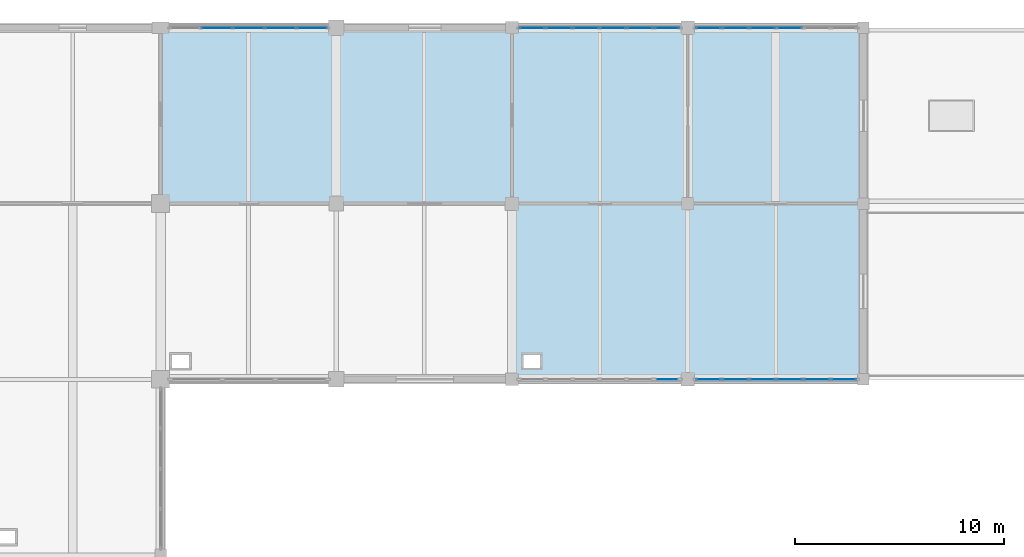
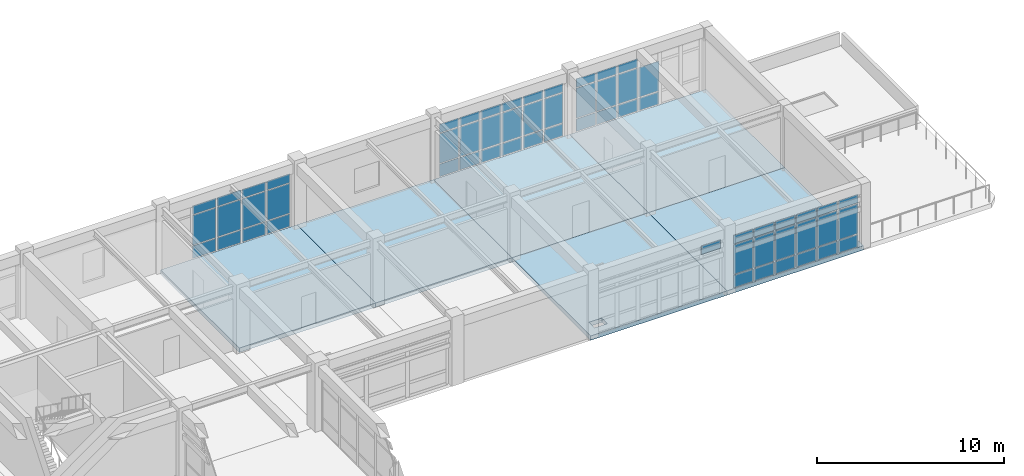
# One storey, part 57 of 78: 60 plates, 6 slabs, 5 elements without a shape of their own.
"""IFC4 building model written with IfcOpenShell, lengths in metres."""

from ifc_helpers import new_model, si_unit, direction, frame, origin, origin_2d, place, context, subcontext, project, spatial, polyline, rectangle, outline, extrude, material, layer, layer_set, type_object, element, aggregate, save


model = new_model("IFC4")

# Units and contexts
model_context = context("Model", 3, precision=1e-05, world=origin(), true_north=direction((0.0, 1.0)))
body_context = subcontext(model_context, "Body", "Model", "MODEL_VIEW")
ifc_project = project(units=[si_unit("LENGTHUNIT", "METRE"), si_unit("AREAUNIT", "SQUARE_METRE"), si_unit("VOLUMEUNIT", "CUBIC_METRE"), si_unit("PLANEANGLEUNIT", "RADIAN"), si_unit("MASSUNIT", "GRAM", prefix="KILO")], contexts=[model_context])

# Site, building, storey
site_placement = place(None, origin())
site = spatial("IfcSite", under=ifc_project, at=site_placement, CompositionType="ELEMENT")
building_placement = place(site_placement, origin())
building = spatial("IfcBuilding", under=site, at=building_placement, Name="Porcellanite Civic Hall", CompositionType="ELEMENT")
storey_placement = place(building_placement, frame((0.0, 0.0, 10.260009765625)))
storey = spatial("IfcBuildingStorey", under=building, at=storey_placement, Name="L02", CompositionType="ELEMENT", Elevation=10.260009765625)

# Curtain wall, plate
ifc_material_1 = material(Name="Anodised aluminium and solar laminated glass", Category="aluminium")
ifc_layer_1 = layer(ifc_material_1, 0.179931640625)
ifc_layer_set_1 = layer_set([ifc_layer_1], Name="Anodised aluminium and solar laminated glass")
curtain_wall_type_1 = type_object("IfcCurtainWallType", Name="CW-SYS02", PredefinedType="NOTDEFINED", material=ifc_layer_set_1)
curtain_wall_1_placement = place(storey_placement, origin())
curtain_wall_1 = element("IfcCurtainWall", 1, at=curtain_wall_1_placement, inside=storey, type_object=curtain_wall_type_1, Name="Curtain wall CW-176", PredefinedType="NOTDEFINED")
ifc_material_2 = material(Name="Cyclone laminated solar-control low-E glass", Category="glass")
ifc_layer_2 = layer(ifc_material_2, 0.02587890625)
ifc_layer_set_2 = layer_set([ifc_layer_2], Name="Cyclone laminated solar-control low-E glass")
plate_type_1 = type_object("IfcPlateType", Name="CWP-02", PredefinedType="CURTAIN_PANEL", material=ifc_layer_set_2)
plate_1_placement = place(storey_placement, frame((150.20751953125, 100.800048828125, 2.92236328125), z_axis=(0.0, 0.0, 1.0), x_axis=(-1.0, 0.0, 0.0)))
plate_1 = element("IfcPlate", 2, at=plate_1_placement, type_object=plate_type_1, Name="CW-176 panel 1.3", PredefinedType="CURTAIN_PANEL", context=body_context, shape_type="SweptSolid", body=[
    extrude(rectangle(XDim=1.18310546875, YDim=0.02587890625, at=origin_2d()), origin(), (0.0, 0.0, 1.0), 0.552490234375),
])
aggregate(curtain_wall_1, [plate_1])

# Curtain wall, plates
curtain_wall_2_placement = place(storey_placement, origin())
curtain_wall_2 = element("IfcCurtainWall", 3, at=curtain_wall_2_placement, inside=storey, type_object=curtain_wall_type_1, Name="Curtain wall CW-177", PredefinedType="NOTDEFINED")
plate_2_placement = place(storey_placement, frame((143.767578125, 117.60009765625, 0.06494140625), z_axis=(0.0, 0.0, 1.0), x_axis=(1.0, 0.0, 0.0)))
plate_2 = element("IfcPlate", 4, at=plate_2_placement, type_object=plate_type_1, Name="CW-177 panel 1.1", PredefinedType="CURTAIN_PANEL", context=body_context, shape_type="SweptSolid", body=[
    extrude(rectangle(XDim=1.18310546875, YDim=0.02587890625, at=origin_2d()), origin(), (0.0, 0.0, 1.0), 0.802490234375),
])
plate_3_placement = place(storey_placement, frame((143.767578125, 117.60009765625, 0.9326171875), z_axis=(0.0, 0.0, 1.0), x_axis=(1.0, 0.0, 0.0)))
plate_3 = element("IfcPlate", 5, at=plate_3_placement, type_object=plate_type_1, Name="CW-177 panel 1.2", PredefinedType="CURTAIN_PANEL", context=body_context, shape_type="SweptSolid", body=[
    extrude(rectangle(XDim=1.18310546875, YDim=0.02587890625, at=origin_2d()), origin(), (0.0, 0.0, 1.0), 1.925048828125),
])
plate_4_placement = place(storey_placement, frame((143.767578125, 117.60009765625, 2.92236328125), z_axis=(0.0, 0.0, 1.0), x_axis=(1.0, 0.0, 0.0)))
plate_4 = element("IfcPlate", 6, at=plate_4_placement, type_object=plate_type_1, Name="CW-177 panel 1.3", PredefinedType="CURTAIN_PANEL", context=body_context, shape_type="SweptSolid", body=[
    extrude(rectangle(XDim=1.18310546875, YDim=0.02587890625, at=origin_2d()), origin(), (0.0, 0.0, 1.0), 0.552490234375),
])
plate_5_placement = place(storey_placement, frame((145.044189453125, 117.60009765625, 0.06494140625), z_axis=(0.0, 0.0, 1.0), x_axis=(1.0, 0.0, 0.0)))
plate_5 = element("IfcPlate", 7, at=plate_5_placement, type_object=plate_type_1, Name="CW-177 panel 2.1", PredefinedType="CURTAIN_PANEL", context=body_context, shape_type="SweptSolid", body=[
    extrude(rectangle(XDim=1.220458984375, YDim=0.02587890625, at=origin_2d()), origin(), (0.0, 0.0, 1.0), 0.802490234375),
])
plate_6_placement = place(storey_placement, frame((145.044189453125, 117.60009765625, 0.9326171875), z_axis=(0.0, 0.0, 1.0), x_axis=(1.0, 0.0, 0.0)))
plate_6 = element("IfcPlate", 8, at=plate_6_placement, type_object=plate_type_1, Name="CW-177 panel 2.2", PredefinedType="CURTAIN_PANEL", context=body_context, shape_type="SweptSolid", body=[
    extrude(rectangle(XDim=1.220458984375, YDim=0.02587890625, at=origin_2d()), origin(), (0.0, 0.0, 1.0), 1.925048828125),
])
plate_7_placement = place(storey_placement, frame((145.044189453125, 117.60009765625, 2.92236328125), z_axis=(0.0, 0.0, 1.0), x_axis=(1.0, 0.0, 0.0)))
plate_7 = element("IfcPlate", 9, at=plate_7_placement, type_object=plate_type_1, Name="CW-177 panel 2.3", PredefinedType="CURTAIN_PANEL", context=body_context, shape_type="SweptSolid", body=[
    extrude(rectangle(XDim=1.220458984375, YDim=0.02587890625, at=origin_2d()), origin(), (0.0, 0.0, 1.0), 0.552490234375),
])
plate_8_placement = place(storey_placement, frame((146.33984375, 117.60009765625, 0.06494140625), z_axis=(0.0, 0.0, 1.0), x_axis=(1.0, 0.0, 0.0)))
plate_8 = element("IfcPlate", 10, at=plate_8_placement, type_object=plate_type_1, Name="CW-177 panel 3.1", PredefinedType="CURTAIN_PANEL", context=body_context, shape_type="SweptSolid", body=[
    extrude(rectangle(XDim=1.220458984375, YDim=0.02587890625, at=origin_2d()), origin(), (0.0, 0.0, 1.0), 0.802490234375),
])
plate_9_placement = place(storey_placement, frame((146.33984375, 117.60009765625, 0.9326171875), z_axis=(0.0, 0.0, 1.0), x_axis=(1.0, 0.0, 0.0)))
plate_9 = element("IfcPlate", 11, at=plate_9_placement, type_object=plate_type_1, Name="CW-177 panel 3.2", PredefinedType="CURTAIN_PANEL", context=body_context, shape_type="SweptSolid", body=[
    extrude(rectangle(XDim=1.220458984375, YDim=0.02587890625, at=origin_2d()), origin(), (0.0, 0.0, 1.0), 1.925048828125),
])
plate_10_placement = place(storey_placement, frame((146.33984375, 117.60009765625, 2.92236328125), z_axis=(0.0, 0.0, 1.0), x_axis=(1.0, 0.0, 0.0)))
plate_10 = element("IfcPlate", 12, at=plate_10_placement, type_object=plate_type_1, Name="CW-177 panel 3.3", PredefinedType="CURTAIN_PANEL", context=body_context, shape_type="SweptSolid", body=[
    extrude(rectangle(XDim=1.220458984375, YDim=0.02587890625, at=origin_2d()), origin(), (0.0, 0.0, 1.0), 0.552490234375),
])
plate_11_placement = place(storey_placement, frame((147.63525390625, 117.60009765625, 0.06494140625), z_axis=(0.0, 0.0, 1.0), x_axis=(1.0, 0.0, 0.0)))
plate_11 = element("IfcPlate", 13, at=plate_11_placement, type_object=plate_type_1, Name="CW-177 panel 4.1", PredefinedType="CURTAIN_PANEL", context=body_context, shape_type="SweptSolid", body=[
    extrude(rectangle(XDim=1.220458984375, YDim=0.02587890625, at=origin_2d()), origin(), (0.0, 0.0, 1.0), 0.802490234375),
])
plate_12_placement = place(storey_placement, frame((147.63525390625, 117.60009765625, 0.9326171875), z_axis=(0.0, 0.0, 1.0), x_axis=(1.0, 0.0, 0.0)))
plate_12 = element("IfcPlate", 14, at=plate_12_placement, type_object=plate_type_1, Name="CW-177 panel 4.2", PredefinedType="CURTAIN_PANEL", context=body_context, shape_type="SweptSolid", body=[
    extrude(rectangle(XDim=1.220458984375, YDim=0.02587890625, at=origin_2d()), origin(), (0.0, 0.0, 1.0), 1.925048828125),
])
plate_13_placement = place(storey_placement, frame((147.63525390625, 117.60009765625, 2.92236328125), z_axis=(0.0, 0.0, 1.0), x_axis=(1.0, 0.0, 0.0)))
plate_13 = element("IfcPlate", 15, at=plate_13_placement, type_object=plate_type_1, Name="CW-177 panel 4.3", PredefinedType="CURTAIN_PANEL", context=body_context, shape_type="SweptSolid", body=[
    extrude(rectangle(XDim=1.220458984375, YDim=0.02587890625, at=origin_2d()), origin(), (0.0, 0.0, 1.0), 0.552490234375),
])
plate_14_placement = place(storey_placement, frame((148.9306640625, 117.60009765625, 0.06494140625), z_axis=(0.0, 0.0, 1.0), x_axis=(1.0, 0.0, 0.0)))
plate_14 = element("IfcPlate", 16, at=plate_14_placement, type_object=plate_type_1, Name="CW-177 panel 5.1", PredefinedType="CURTAIN_PANEL", context=body_context, shape_type="SweptSolid", body=[
    extrude(rectangle(XDim=1.220458984375, YDim=0.02587890625, at=origin_2d()), origin(), (0.0, 0.0, 1.0), 0.802490234375),
])
plate_15_placement = place(storey_placement, frame((148.9306640625, 117.60009765625, 0.9326171875), z_axis=(0.0, 0.0, 1.0), x_axis=(1.0, 0.0, 0.0)))
plate_15 = element("IfcPlate", 17, at=plate_15_placement, type_object=plate_type_1, Name="CW-177 panel 5.2", PredefinedType="CURTAIN_PANEL", context=body_context, shape_type="SweptSolid", body=[
    extrude(rectangle(XDim=1.220458984375, YDim=0.02587890625, at=origin_2d()), origin(), (0.0, 0.0, 1.0), 1.925048828125),
])
plate_16_placement = place(storey_placement, frame((148.9306640625, 117.60009765625, 2.92236328125), z_axis=(0.0, 0.0, 1.0), x_axis=(1.0, 0.0, 0.0)))
plate_16 = element("IfcPlate", 18, at=plate_16_placement, type_object=plate_type_1, Name="CW-177 panel 5.3", PredefinedType="CURTAIN_PANEL", context=body_context, shape_type="SweptSolid", body=[
    extrude(rectangle(XDim=1.220458984375, YDim=0.02587890625, at=origin_2d()), origin(), (0.0, 0.0, 1.0), 0.552490234375),
])
plate_17_placement = place(storey_placement, frame((150.20751953125, 117.60009765625, 0.06494140625), z_axis=(0.0, 0.0, 1.0), x_axis=(1.0, 0.0, 0.0)))
plate_17 = element("IfcPlate", 19, at=plate_17_placement, type_object=plate_type_1, Name="CW-177 panel 6.1", PredefinedType="CURTAIN_PANEL", context=body_context, shape_type="SweptSolid", body=[
    extrude(rectangle(XDim=1.18310546875, YDim=0.02587890625, at=origin_2d()), origin(), (0.0, 0.0, 1.0), 0.802490234375),
])
plate_18_placement = place(storey_placement, frame((150.20751953125, 117.60009765625, 0.9326171875), z_axis=(0.0, 0.0, 1.0), x_axis=(1.0, 0.0, 0.0)))
plate_18 = element("IfcPlate", 20, at=plate_18_placement, type_object=plate_type_1, Name="CW-177 panel 6.2", PredefinedType="CURTAIN_PANEL", context=body_context, shape_type="SweptSolid", body=[
    extrude(rectangle(XDim=1.18310546875, YDim=0.02587890625, at=origin_2d()), origin(), (0.0, 0.0, 1.0), 1.925048828125),
])
plate_19_placement = place(storey_placement, frame((150.20751953125, 117.60009765625, 2.92236328125), z_axis=(0.0, 0.0, 1.0), x_axis=(1.0, 0.0, 0.0)))
plate_19 = element("IfcPlate", 21, at=plate_19_placement, type_object=plate_type_1, Name="CW-177 panel 6.3", PredefinedType="CURTAIN_PANEL", context=body_context, shape_type="SweptSolid", body=[
    extrude(rectangle(XDim=1.18310546875, YDim=0.02587890625, at=origin_2d()), origin(), (0.0, 0.0, 1.0), 0.552490234375),
])
aggregate(curtain_wall_2, [plate_2, plate_3, plate_4, plate_5, plate_6, plate_7, plate_8, plate_9, plate_10, plate_11, plate_12, plate_13, plate_14, plate_15, plate_16, plate_17, plate_18, plate_19])

curtain_wall_3_placement = place(storey_placement, origin())
curtain_wall_3 = element("IfcCurtainWall", 22, at=curtain_wall_3_placement, inside=storey, type_object=curtain_wall_type_1, Name="Curtain wall CW-179", PredefinedType="NOTDEFINED")
plate_20_placement = place(storey_placement, frame((158.655517578125, 100.800048828125, 0.06494140625), z_axis=(0.0, 0.0, 1.0), x_axis=(-1.0, 0.0, 0.0)))
plate_20 = element("IfcPlate", 23, at=plate_20_placement, type_object=plate_type_1, Name="CW-179 panel 1.1", PredefinedType="CURTAIN_PANEL", context=body_context, shape_type="SweptSolid", body=[
    extrude(rectangle(XDim=1.187255859375, YDim=0.02587890625, at=origin_2d()), origin(), (0.0, 0.0, 1.0), 0.802490234375),
])
plate_21_placement = place(storey_placement, frame((158.655517578125, 100.800048828125, 0.9326171875), z_axis=(0.0, 0.0, 1.0), x_axis=(-1.0, 0.0, 0.0)))
plate_21 = element("IfcPlate", 24, at=plate_21_placement, type_object=plate_type_1, Name="CW-179 panel 1.2", PredefinedType="CURTAIN_PANEL", context=body_context, shape_type="SweptSolid", body=[
    extrude(rectangle(XDim=1.187255859375, YDim=0.02587890625, at=origin_2d()), origin(), (0.0, 0.0, 1.0), 1.925048828125),
])
plate_22_placement = place(storey_placement, frame((158.655517578125, 100.800048828125, 2.92236328125), z_axis=(0.0, 0.0, 1.0), x_axis=(-1.0, 0.0, 0.0)))
plate_22 = element("IfcPlate", 25, at=plate_22_placement, type_object=plate_type_1, Name="CW-179 panel 1.3", PredefinedType="CURTAIN_PANEL", context=body_context, shape_type="SweptSolid", body=[
    extrude(rectangle(XDim=1.187255859375, YDim=0.02587890625, at=origin_2d()), origin(), (0.0, 0.0, 1.0), 0.552490234375),
])
plate_23_placement = place(storey_placement, frame((157.37451171875, 100.800048828125, 0.06494140625), z_axis=(0.0, 0.0, 1.0), x_axis=(-1.0, 0.0, 0.0)))
plate_23 = element("IfcPlate", 26, at=plate_23_placement, type_object=plate_type_1, Name="CW-179 panel 2.1", PredefinedType="CURTAIN_PANEL", context=body_context, shape_type="SweptSolid", body=[
    extrude(rectangle(XDim=1.224609375, YDim=0.02587890625, at=origin_2d()), origin(), (0.0, 0.0, 1.0), 0.802490234375),
])
plate_24_placement = place(storey_placement, frame((157.37451171875, 100.800048828125, 0.9326171875), z_axis=(0.0, 0.0, 1.0), x_axis=(-1.0, 0.0, 0.0)))
plate_24 = element("IfcPlate", 27, at=plate_24_placement, type_object=plate_type_1, Name="CW-179 panel 2.2", PredefinedType="CURTAIN_PANEL", context=body_context, shape_type="SweptSolid", body=[
    extrude(rectangle(XDim=1.224609375, YDim=0.02587890625, at=origin_2d()), origin(), (0.0, 0.0, 1.0), 1.925048828125),
])
plate_25_placement = place(storey_placement, frame((157.37451171875, 100.800048828125, 2.92236328125), z_axis=(0.0, 0.0, 1.0), x_axis=(-1.0, 0.0, 0.0)))
plate_25 = element("IfcPlate", 28, at=plate_25_placement, type_object=plate_type_1, Name="CW-179 panel 2.3", PredefinedType="CURTAIN_PANEL", context=body_context, shape_type="SweptSolid", body=[
    extrude(rectangle(XDim=1.224609375, YDim=0.02587890625, at=origin_2d()), origin(), (0.0, 0.0, 1.0), 0.552490234375),
])
plate_26_placement = place(storey_placement, frame((156.074951171875, 100.800048828125, 0.06494140625), z_axis=(0.0, 0.0, 1.0), x_axis=(-1.0, 0.0, 0.0)))
plate_26 = element("IfcPlate", 29, at=plate_26_placement, type_object=plate_type_1, Name="CW-179 panel 3.1", PredefinedType="CURTAIN_PANEL", context=body_context, shape_type="SweptSolid", body=[
    extrude(rectangle(XDim=1.224609375, YDim=0.02587890625, at=origin_2d()), origin(), (0.0, 0.0, 1.0), 0.802490234375),
])
plate_27_placement = place(storey_placement, frame((156.074951171875, 100.800048828125, 0.9326171875), z_axis=(0.0, 0.0, 1.0), x_axis=(-1.0, 0.0, 0.0)))
plate_27 = element("IfcPlate", 30, at=plate_27_placement, type_object=plate_type_1, Name="CW-179 panel 3.2", PredefinedType="CURTAIN_PANEL", context=body_context, shape_type="SweptSolid", body=[
    extrude(rectangle(XDim=1.224609375, YDim=0.02587890625, at=origin_2d()), origin(), (0.0, 0.0, 1.0), 1.925048828125),
])
plate_28_placement = place(storey_placement, frame((156.074951171875, 100.800048828125, 2.92236328125), z_axis=(0.0, 0.0, 1.0), x_axis=(-1.0, 0.0, 0.0)))
plate_28 = element("IfcPlate", 31, at=plate_28_placement, type_object=plate_type_1, Name="CW-179 panel 3.3", PredefinedType="CURTAIN_PANEL", context=body_context, shape_type="SweptSolid", body=[
    extrude(rectangle(XDim=1.224609375, YDim=0.02587890625, at=origin_2d()), origin(), (0.0, 0.0, 1.0), 0.552490234375),
])
plate_29_placement = place(storey_placement, frame((154.775146484375, 100.800048828125, 0.06494140625), z_axis=(0.0, 0.0, 1.0), x_axis=(-1.0, 0.0, 0.0)))
plate_29 = element("IfcPlate", 32, at=plate_29_placement, type_object=plate_type_1, Name="CW-179 panel 4.1", PredefinedType="CURTAIN_PANEL", context=body_context, shape_type="SweptSolid", body=[
    extrude(rectangle(XDim=1.224609375, YDim=0.02587890625, at=origin_2d()), origin(), (0.0, 0.0, 1.0), 0.802490234375),
])
plate_30_placement = place(storey_placement, frame((154.775146484375, 100.800048828125, 0.9326171875), z_axis=(0.0, 0.0, 1.0), x_axis=(-1.0, 0.0, 0.0)))
plate_30 = element("IfcPlate", 33, at=plate_30_placement, type_object=plate_type_1, Name="CW-179 panel 4.2", PredefinedType="CURTAIN_PANEL", context=body_context, shape_type="SweptSolid", body=[
    extrude(rectangle(XDim=1.224609375, YDim=0.02587890625, at=origin_2d()), origin(), (0.0, 0.0, 1.0), 1.925048828125),
])
plate_31_placement = place(storey_placement, frame((154.775146484375, 100.800048828125, 2.92236328125), z_axis=(0.0, 0.0, 1.0), x_axis=(-1.0, 0.0, 0.0)))
plate_31 = element("IfcPlate", 34, at=plate_31_placement, type_object=plate_type_1, Name="CW-179 panel 4.3", PredefinedType="CURTAIN_PANEL", context=body_context, shape_type="SweptSolid", body=[
    extrude(rectangle(XDim=1.224609375, YDim=0.02587890625, at=origin_2d()), origin(), (0.0, 0.0, 1.0), 0.552490234375),
])
plate_32_placement = place(storey_placement, frame((153.4755859375, 100.800048828125, 0.06494140625), z_axis=(0.0, 0.0, 1.0), x_axis=(-1.0, 0.0, 0.0)))
plate_32 = element("IfcPlate", 35, at=plate_32_placement, type_object=plate_type_1, Name="CW-179 panel 5.1", PredefinedType="CURTAIN_PANEL", context=body_context, shape_type="SweptSolid", body=[
    extrude(rectangle(XDim=1.224609375, YDim=0.02587890625, at=origin_2d()), origin(), (0.0, 0.0, 1.0), 0.802490234375),
])
plate_33_placement = place(storey_placement, frame((153.4755859375, 100.800048828125, 0.9326171875), z_axis=(0.0, 0.0, 1.0), x_axis=(-1.0, 0.0, 0.0)))
plate_33 = element("IfcPlate", 36, at=plate_33_placement, type_object=plate_type_1, Name="CW-179 panel 5.2", PredefinedType="CURTAIN_PANEL", context=body_context, shape_type="SweptSolid", body=[
    extrude(rectangle(XDim=1.224609375, YDim=0.02587890625, at=origin_2d()), origin(), (0.0, 0.0, 1.0), 1.925048828125),
])
plate_34_placement = place(storey_placement, frame((153.4755859375, 100.800048828125, 2.92236328125), z_axis=(0.0, 0.0, 1.0), x_axis=(-1.0, 0.0, 0.0)))
plate_34 = element("IfcPlate", 37, at=plate_34_placement, type_object=plate_type_1, Name="CW-179 panel 5.3", PredefinedType="CURTAIN_PANEL", context=body_context, shape_type="SweptSolid", body=[
    extrude(rectangle(XDim=1.224609375, YDim=0.02587890625, at=origin_2d()), origin(), (0.0, 0.0, 1.0), 0.552490234375),
])
plate_35_placement = place(storey_placement, frame((152.194580078125, 100.800048828125, 0.06494140625), z_axis=(0.0, 0.0, 1.0), x_axis=(-1.0, 0.0, 0.0)))
plate_35 = element("IfcPlate", 38, at=plate_35_placement, type_object=plate_type_1, Name="CW-179 panel 6.1", PredefinedType="CURTAIN_PANEL", context=body_context, shape_type="SweptSolid", body=[
    extrude(rectangle(XDim=1.187255859375, YDim=0.02587890625, at=origin_2d()), origin(), (0.0, 0.0, 1.0), 0.802490234375),
])
plate_36_placement = place(storey_placement, frame((152.194580078125, 100.800048828125, 0.9326171875), z_axis=(0.0, 0.0, 1.0), x_axis=(-1.0, 0.0, 0.0)))
plate_36 = element("IfcPlate", 39, at=plate_36_placement, type_object=plate_type_1, Name="CW-179 panel 6.2", PredefinedType="CURTAIN_PANEL", context=body_context, shape_type="SweptSolid", body=[
    extrude(rectangle(XDim=1.187255859375, YDim=0.02587890625, at=origin_2d()), origin(), (0.0, 0.0, 1.0), 1.925048828125),
])
plate_37_placement = place(storey_placement, frame((152.194580078125, 100.800048828125, 2.92236328125), z_axis=(0.0, 0.0, 1.0), x_axis=(-1.0, 0.0, 0.0)))
plate_37 = element("IfcPlate", 40, at=plate_37_placement, type_object=plate_type_1, Name="CW-179 panel 6.3", PredefinedType="CURTAIN_PANEL", context=body_context, shape_type="SweptSolid", body=[
    extrude(rectangle(XDim=1.187255859375, YDim=0.02587890625, at=origin_2d()), origin(), (0.0, 0.0, 1.0), 0.552490234375),
])
aggregate(curtain_wall_3, [plate_20, plate_21, plate_22, plate_23, plate_24, plate_25, plate_26, plate_27, plate_28, plate_29, plate_30, plate_31, plate_32, plate_33, plate_34, plate_35, plate_36, plate_37])

curtain_wall_4_placement = place(storey_placement, origin())
curtain_wall_4 = element("IfcCurtainWall", 41, at=curtain_wall_4_placement, inside=storey, type_object=curtain_wall_type_1, Name="Curtain wall CW-180", PredefinedType="NOTDEFINED")
plate_38_placement = place(storey_placement, frame((152.194580078125, 117.60009765625, 0.06494140625), z_axis=(0.0, 0.0, 1.0), x_axis=(1.0, 0.0, 0.0)))
plate_38 = element("IfcPlate", 42, at=plate_38_placement, type_object=plate_type_1, Name="CW-180 panel 1.1", PredefinedType="CURTAIN_PANEL", context=body_context, shape_type="SweptSolid", body=[
    extrude(rectangle(XDim=1.187255859375, YDim=0.02587890625, at=origin_2d()), origin(), (0.0, 0.0, 1.0), 0.802490234375),
])
plate_39_placement = place(storey_placement, frame((152.194580078125, 117.60009765625, 0.9326171875), z_axis=(0.0, 0.0, 1.0), x_axis=(1.0, 0.0, 0.0)))
plate_39 = element("IfcPlate", 43, at=plate_39_placement, type_object=plate_type_1, Name="CW-180 panel 1.2", PredefinedType="CURTAIN_PANEL", context=body_context, shape_type="SweptSolid", body=[
    extrude(rectangle(XDim=1.187255859375, YDim=0.02587890625, at=origin_2d()), origin(), (0.0, 0.0, 1.0), 1.925048828125),
])
plate_40_placement = place(storey_placement, frame((152.194580078125, 117.60009765625, 2.92236328125), z_axis=(0.0, 0.0, 1.0), x_axis=(1.0, 0.0, 0.0)))
plate_40 = element("IfcPlate", 44, at=plate_40_placement, type_object=plate_type_1, Name="CW-180 panel 1.3", PredefinedType="CURTAIN_PANEL", context=body_context, shape_type="SweptSolid", body=[
    extrude(rectangle(XDim=1.187255859375, YDim=0.02587890625, at=origin_2d()), origin(), (0.0, 0.0, 1.0), 0.552490234375),
])
plate_41_placement = place(storey_placement, frame((153.4755859375, 117.60009765625, 0.06494140625), z_axis=(0.0, 0.0, 1.0), x_axis=(1.0, 0.0, 0.0)))
plate_41 = element("IfcPlate", 45, at=plate_41_placement, type_object=plate_type_1, Name="CW-180 panel 2.1", PredefinedType="CURTAIN_PANEL", context=body_context, shape_type="SweptSolid", body=[
    extrude(rectangle(XDim=1.224609375, YDim=0.02587890625, at=origin_2d()), origin(), (0.0, 0.0, 1.0), 0.802490234375),
])
plate_42_placement = place(storey_placement, frame((153.4755859375, 117.60009765625, 0.9326171875), z_axis=(0.0, 0.0, 1.0), x_axis=(1.0, 0.0, 0.0)))
plate_42 = element("IfcPlate", 46, at=plate_42_placement, type_object=plate_type_1, Name="CW-180 panel 2.2", PredefinedType="CURTAIN_PANEL", context=body_context, shape_type="SweptSolid", body=[
    extrude(rectangle(XDim=1.224609375, YDim=0.02587890625, at=origin_2d()), origin(), (0.0, 0.0, 1.0), 1.925048828125),
])
plate_43_placement = place(storey_placement, frame((153.4755859375, 117.60009765625, 2.92236328125), z_axis=(0.0, 0.0, 1.0), x_axis=(1.0, 0.0, 0.0)))
plate_43 = element("IfcPlate", 47, at=plate_43_placement, type_object=plate_type_1, Name="CW-180 panel 2.3", PredefinedType="CURTAIN_PANEL", context=body_context, shape_type="SweptSolid", body=[
    extrude(rectangle(XDim=1.224609375, YDim=0.02587890625, at=origin_2d()), origin(), (0.0, 0.0, 1.0), 0.552490234375),
])
plate_44_placement = place(storey_placement, frame((154.775146484375, 117.60009765625, 0.06494140625), z_axis=(0.0, 0.0, 1.0), x_axis=(1.0, 0.0, 0.0)))
plate_44 = element("IfcPlate", 48, at=plate_44_placement, type_object=plate_type_1, Name="CW-180 panel 3.1", PredefinedType="CURTAIN_PANEL", context=body_context, shape_type="SweptSolid", body=[
    extrude(rectangle(XDim=1.224609375, YDim=0.02587890625, at=origin_2d()), origin(), (0.0, 0.0, 1.0), 0.802490234375),
])
plate_45_placement = place(storey_placement, frame((154.775146484375, 117.60009765625, 0.9326171875), z_axis=(0.0, 0.0, 1.0), x_axis=(1.0, 0.0, 0.0)))
plate_45 = element("IfcPlate", 49, at=plate_45_placement, type_object=plate_type_1, Name="CW-180 panel 3.2", PredefinedType="CURTAIN_PANEL", context=body_context, shape_type="SweptSolid", body=[
    extrude(rectangle(XDim=1.224609375, YDim=0.02587890625, at=origin_2d()), origin(), (0.0, 0.0, 1.0), 1.925048828125),
])
plate_46_placement = place(storey_placement, frame((154.775146484375, 117.60009765625, 2.92236328125), z_axis=(0.0, 0.0, 1.0), x_axis=(1.0, 0.0, 0.0)))
plate_46 = element("IfcPlate", 50, at=plate_46_placement, type_object=plate_type_1, Name="CW-180 panel 3.3", PredefinedType="CURTAIN_PANEL", context=body_context, shape_type="SweptSolid", body=[
    extrude(rectangle(XDim=1.224609375, YDim=0.02587890625, at=origin_2d()), origin(), (0.0, 0.0, 1.0), 0.552490234375),
])
plate_47_placement = place(storey_placement, frame((156.074951171875, 117.60009765625, 0.06494140625), z_axis=(0.0, 0.0, 1.0), x_axis=(1.0, 0.0, 0.0)))
plate_47 = element("IfcPlate", 51, at=plate_47_placement, type_object=plate_type_1, Name="CW-180 panel 4.1", PredefinedType="CURTAIN_PANEL", context=body_context, shape_type="SweptSolid", body=[
    extrude(rectangle(XDim=1.224609375, YDim=0.02587890625, at=origin_2d()), origin(), (0.0, 0.0, 1.0), 0.802490234375),
])
plate_48_placement = place(storey_placement, frame((156.074951171875, 117.60009765625, 0.9326171875), z_axis=(0.0, 0.0, 1.0), x_axis=(1.0, 0.0, 0.0)))
plate_48 = element("IfcPlate", 52, at=plate_48_placement, type_object=plate_type_1, Name="CW-180 panel 4.2", PredefinedType="CURTAIN_PANEL", context=body_context, shape_type="SweptSolid", body=[
    extrude(rectangle(XDim=1.224609375, YDim=0.02587890625, at=origin_2d()), origin(), (0.0, 0.0, 1.0), 1.925048828125),
])
aggregate(curtain_wall_4, [plate_38, plate_39, plate_40, plate_41, plate_42, plate_43, plate_44, plate_45, plate_46, plate_47, plate_48])

ifc_material_3 = material(Name="Anodised aluminium and solar laminated glass", Category="aluminium")
ifc_layer_3 = layer(ifc_material_3, 0.179931640625)
ifc_layer_set_3 = layer_set([ifc_layer_3], Name="Anodised aluminium and solar laminated glass")
curtain_wall_type_2 = type_object("IfcCurtainWallType", Name="CW-SYS01", PredefinedType="NOTDEFINED", material=ifc_layer_set_3)
curtain_wall_5_placement = place(storey_placement, origin())
curtain_wall_5 = element("IfcCurtainWall", 53, at=curtain_wall_5_placement, inside=storey, type_object=curtain_wall_type_2, Name="Curtain wall CW-173", PredefinedType="NOTDEFINED")
ifc_material_4 = material(Name="Cyclone laminated solar-control low-E glass", Category="glass")
ifc_layer_4 = layer(ifc_material_4, 0.030029296875)
ifc_layer_set_4 = layer_set([ifc_layer_4], Name="Cyclone laminated solar-control low-E glass")
plate_type_2 = type_object("IfcPlateType", Name="CWP-04", PredefinedType="CURTAIN_PANEL", material=ifc_layer_set_4)
plate_49_placement = place(storey_placement, frame((128.68798828125, 117.60009765625, 0.06005859375), z_axis=(0.0, 0.0, 1.0), x_axis=(1.0, 0.0, 0.0)))
plate_49 = element("IfcPlate", 54, at=plate_49_placement, type_object=plate_type_2, Name="CW-173 panel 2.1", PredefinedType="CURTAIN_PANEL", context=body_context, shape_type="SweptSolid", body=[
    extrude(rectangle(XDim=1.45458984375, YDim=0.030029296875, at=origin_2d()), origin(), (0.0, 0.0, 1.0), 0.81005859375),
])
plate_50_placement = place(storey_placement, frame((128.68798828125, 117.60009765625, 0.93017578125), z_axis=(0.0, 0.0, 1.0), x_axis=(1.0, 0.0, 0.0)))
plate_50 = element("IfcPlate", 55, at=plate_50_placement, type_object=plate_type_2, Name="CW-173 panel 2.2", PredefinedType="CURTAIN_PANEL", context=body_context, shape_type="SweptSolid", body=[
    extrude(rectangle(XDim=1.45458984375, YDim=0.030029296875, at=origin_2d()), origin(), (0.0, 0.0, 1.0), 1.929931640625),
])
plate_51_placement = place(storey_placement, frame((128.68798828125, 117.60009765625, 2.919921875), z_axis=(0.0, 0.0, 1.0), x_axis=(1.0, 0.0, 0.0)))
plate_51 = element("IfcPlate", 56, at=plate_51_placement, type_object=plate_type_2, Name="CW-173 panel 2.3", PredefinedType="CURTAIN_PANEL", context=body_context, shape_type="SweptSolid", body=[
    extrude(rectangle(XDim=1.45458984375, YDim=0.030029296875, at=origin_2d()), origin(), (0.0, 0.0, 1.0), 0.56005859375),
])
plate_52_placement = place(storey_placement, frame((130.21240234375, 117.60009765625, 0.06005859375), z_axis=(0.0, 0.0, 1.0), x_axis=(1.0, 0.0, 0.0)))
plate_52 = element("IfcPlate", 57, at=plate_52_placement, type_object=plate_type_2, Name="CW-173 panel 3.1", PredefinedType="CURTAIN_PANEL", context=body_context, shape_type="SweptSolid", body=[
    extrude(rectangle(XDim=1.45458984375, YDim=0.030029296875, at=origin_2d()), origin(), (0.0, 0.0, 1.0), 0.81005859375),
])
plate_53_placement = place(storey_placement, frame((130.21240234375, 117.60009765625, 0.93017578125), z_axis=(0.0, 0.0, 1.0), x_axis=(1.0, 0.0, 0.0)))
plate_53 = element("IfcPlate", 58, at=plate_53_placement, type_object=plate_type_2, Name="CW-173 panel 3.2", PredefinedType="CURTAIN_PANEL", context=body_context, shape_type="SweptSolid", body=[
    extrude(rectangle(XDim=1.45458984375, YDim=0.030029296875, at=origin_2d()), origin(), (0.0, 0.0, 1.0), 1.929931640625),
])
plate_54_placement = place(storey_placement, frame((130.21240234375, 117.60009765625, 2.919921875), z_axis=(0.0, 0.0, 1.0), x_axis=(1.0, 0.0, 0.0)))
plate_54 = element("IfcPlate", 59, at=plate_54_placement, type_object=plate_type_2, Name="CW-173 panel 3.3", PredefinedType="CURTAIN_PANEL", context=body_context, shape_type="SweptSolid", body=[
    extrude(rectangle(XDim=1.45458984375, YDim=0.030029296875, at=origin_2d()), origin(), (0.0, 0.0, 1.0), 0.56005859375),
])
plate_55_placement = place(storey_placement, frame((131.737060546875, 117.60009765625, 0.06005859375), z_axis=(0.0, 0.0, 1.0), x_axis=(1.0, 0.0, 0.0)))
plate_55 = element("IfcPlate", 60, at=plate_55_placement, type_object=plate_type_2, Name="CW-173 panel 4.1", PredefinedType="CURTAIN_PANEL", context=body_context, shape_type="SweptSolid", body=[
    extrude(rectangle(XDim=1.45458984375, YDim=0.030029296875, at=origin_2d()), origin(), (0.0, 0.0, 1.0), 0.81005859375),
])
plate_56_placement = place(storey_placement, frame((131.737060546875, 117.60009765625, 0.93017578125), z_axis=(0.0, 0.0, 1.0), x_axis=(1.0, 0.0, 0.0)))
plate_56 = element("IfcPlate", 61, at=plate_56_placement, type_object=plate_type_2, Name="CW-173 panel 4.2", PredefinedType="CURTAIN_PANEL", context=body_context, shape_type="SweptSolid", body=[
    extrude(rectangle(XDim=1.45458984375, YDim=0.030029296875, at=origin_2d()), origin(), (0.0, 0.0, 1.0), 1.929931640625),
])
plate_57_placement = place(storey_placement, frame((131.737060546875, 117.60009765625, 2.919921875), z_axis=(0.0, 0.0, 1.0), x_axis=(1.0, 0.0, 0.0)))
plate_57 = element("IfcPlate", 62, at=plate_57_placement, type_object=plate_type_2, Name="CW-173 panel 4.3", PredefinedType="CURTAIN_PANEL", context=body_context, shape_type="SweptSolid", body=[
    extrude(rectangle(XDim=1.45458984375, YDim=0.030029296875, at=origin_2d()), origin(), (0.0, 0.0, 1.0), 0.56005859375),
])
plate_58_placement = place(storey_placement, frame((133.244140625, 117.60009765625, 0.06005859375), z_axis=(0.0, 0.0, 1.0), x_axis=(1.0, 0.0, 0.0)))
plate_58 = element("IfcPlate", 63, at=plate_58_placement, type_object=plate_type_2, Name="CW-173 panel 5.1", PredefinedType="CURTAIN_PANEL", context=body_context, shape_type="SweptSolid", body=[
    extrude(rectangle(XDim=1.419677734375, YDim=0.030029296875, at=origin_2d()), origin(), (0.0, 0.0, 1.0), 0.81005859375),
])
plate_59_placement = place(storey_placement, frame((133.244140625, 117.60009765625, 0.93017578125), z_axis=(0.0, 0.0, 1.0), x_axis=(1.0, 0.0, 0.0)))
plate_59 = element("IfcPlate", 64, at=plate_59_placement, type_object=plate_type_2, Name="CW-173 panel 5.2", PredefinedType="CURTAIN_PANEL", context=body_context, shape_type="SweptSolid", body=[
    extrude(rectangle(XDim=1.419677734375, YDim=0.030029296875, at=origin_2d()), origin(), (0.0, 0.0, 1.0), 1.929931640625),
])
plate_60_placement = place(storey_placement, frame((133.244140625, 117.60009765625, 2.919921875), z_axis=(0.0, 0.0, 1.0), x_axis=(1.0, 0.0, 0.0)))
plate_60 = element("IfcPlate", 65, at=plate_60_placement, type_object=plate_type_2, Name="CW-173 panel 5.3", PredefinedType="CURTAIN_PANEL", context=body_context, shape_type="SweptSolid", body=[
    extrude(rectangle(XDim=1.419677734375, YDim=0.030029296875, at=origin_2d()), origin(), (0.0, 0.0, 1.0), 0.56005859375),
])
aggregate(curtain_wall_5, [plate_49, plate_50, plate_51, plate_52, plate_53, plate_54, plate_55, plate_56, plate_57, plate_58, plate_59, plate_60])

# Slabs
ifc_material_5 = material(Name="Concrete N40 (40 MPa)", Category="concrete")
ifc_layer_5 = layer(ifc_material_5, 0.280029296875)
ifc_layer_set_5 = layer_set([ifc_layer_5], Name="Concrete N40 (40 MPa)")
slab_type = type_object("IfcSlabType", Name="SL-FL280", PredefinedType="FLOOR", material=ifc_layer_set_5)
slab_1_placement = place(storey_placement, frame((0.0, 0.0, -0.280029296875)))
element("IfcSlab", 66, at=slab_1_placement, inside=storey, type_object=slab_type, Name="Slab L02 bay 16-14", PredefinedType="FLOOR", context=body_context, shape_type="SweptSolid", body=[
    extrude(outline(polyline([(126.0, 109.199951171875), (134.39990234375, 109.199951171875), (134.39990234375, 117.60009765625), (126.0, 117.60009765625), (126.0, 109.199951171875)])), origin(), (0.0, 0.0, 1.0), 0.280029296875),
])
slab_2_placement = place(storey_placement, frame((0.0, 0.0, -0.280029296875)))
element("IfcSlab", 67, at=slab_2_placement, inside=storey, type_object=slab_type, Name="Slab L02 bay 17-14", PredefinedType="FLOOR", context=body_context, shape_type="SweptSolid", body=[
    extrude(outline(polyline([(134.39990234375, 109.199951171875), (142.800048828125, 109.199951171875), (142.800048828125, 117.60009765625), (134.39990234375, 117.60009765625), (134.39990234375, 109.199951171875)])), origin(), (0.0, 0.0, 1.0), 0.280029296875),
])
slab_3_placement = place(storey_placement, frame((0.0, 0.0, -0.280029296875)))
element("IfcSlab", 68, at=slab_3_placement, inside=storey, type_object=slab_type, Name="Slab L02 bay 18-13", PredefinedType="FLOOR", context=body_context, shape_type="SweptSolid", body=[
    extrude(outline(polyline([(142.800048828125, 100.800048828125), (151.199951171875, 100.800048828125), (151.199951171875, 109.199951171875), (142.800048828125, 109.199951171875), (142.800048828125, 100.800048828125)]), holes=[polyline([(143.35009765625, 101.35009765625), (144.14990234375, 101.35009765625), (144.14990234375, 101.949951171875), (143.35009765625, 101.949951171875), (143.35009765625, 101.35009765625)])]), origin(), (0.0, 0.0, 1.0), 0.280029296875),
])
slab_4_placement = place(storey_placement, frame((0.0, 0.0, -0.280029296875)))
element("IfcSlab", 69, at=slab_4_placement, inside=storey, type_object=slab_type, Name="Slab L02 bay 18-14", PredefinedType="FLOOR", context=body_context, shape_type="SweptSolid", body=[
    extrude(outline(polyline([(142.800048828125, 109.199951171875), (151.199951171875, 109.199951171875), (151.199951171875, 117.60009765625), (142.800048828125, 117.60009765625), (142.800048828125, 109.199951171875)])), origin(), (0.0, 0.0, 1.0), 0.280029296875),
])
slab_5_placement = place(storey_placement, frame((0.0, 0.0, -0.280029296875)))
element("IfcSlab", 70, at=slab_5_placement, inside=storey, type_object=slab_type, Name="Slab L02 bay 19-13", PredefinedType="FLOOR", context=body_context, shape_type="SweptSolid", body=[
    extrude(outline(polyline([(151.199951171875, 100.800048828125), (159.60009765625, 100.800048828125), (159.60009765625, 109.199951171875), (151.199951171875, 109.199951171875), (151.199951171875, 100.800048828125)])), origin(), (0.0, 0.0, 1.0), 0.280029296875),
])
slab_6_placement = place(storey_placement, frame((0.0, 0.0, -0.280029296875)))
element("IfcSlab", 71, at=slab_6_placement, inside=storey, type_object=slab_type, Name="Slab L02 bay 19-14", PredefinedType="FLOOR", context=body_context, shape_type="SweptSolid", body=[
    extrude(outline(polyline([(151.199951171875, 109.199951171875), (159.60009765625, 109.199951171875), (159.60009765625, 117.60009765625), (151.199951171875, 117.60009765625), (151.199951171875, 109.199951171875)])), origin(), (0.0, 0.0, 1.0), 0.280029296875),
])

save(model, "model.ifc")
